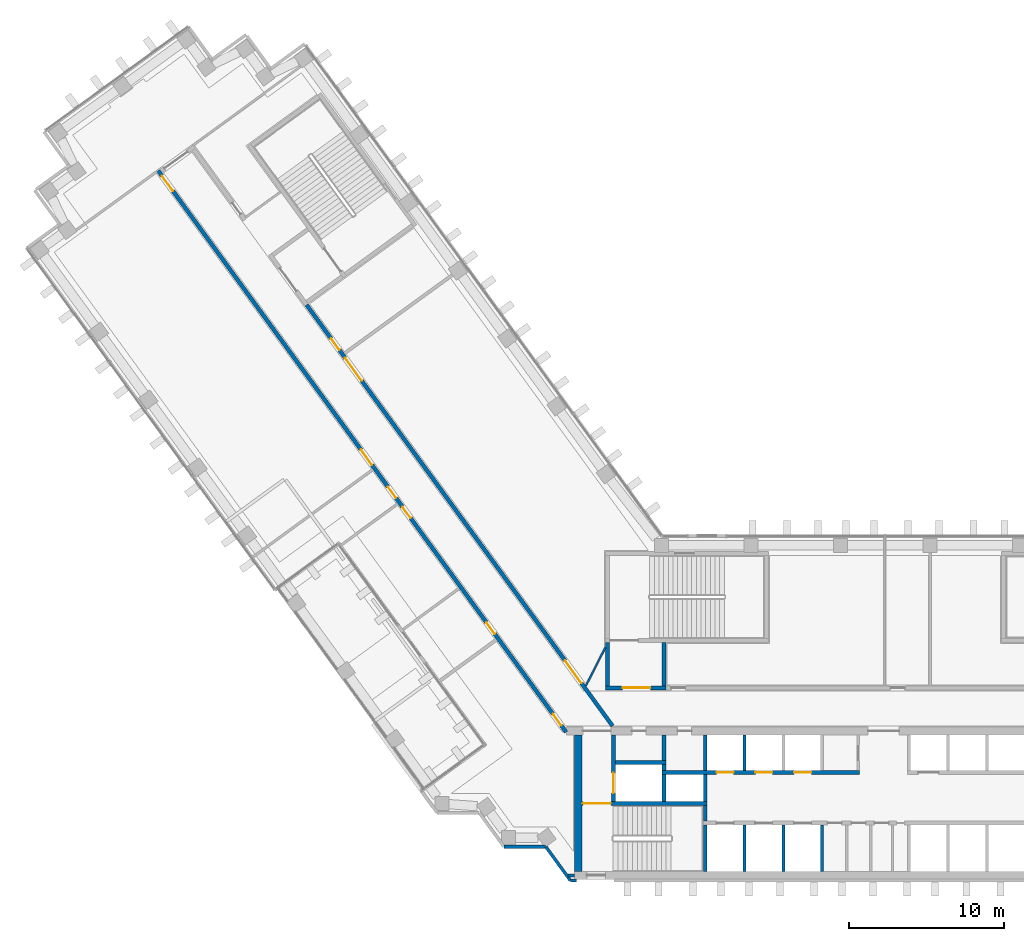
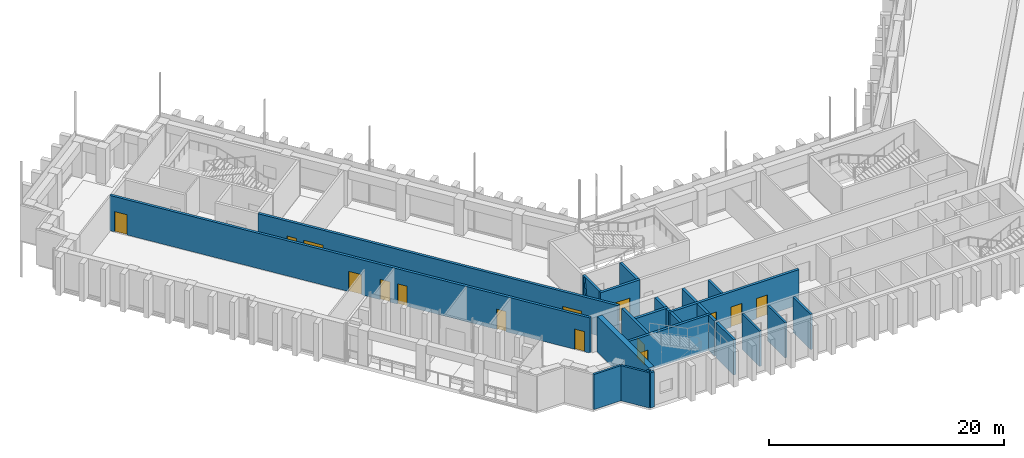
# One storey, part 10 of 18: 26 walls, 15 doors, 15 openings.
"""IFC4 building model written with IfcOpenShell, lengths in metres."""

import ifcopenshell
import ifcopenshell.guid

model = None  # the IFC model being written
_history = None  # IfcOwnerHistory: only IFC2X3 demands one
_inside = {}  # id of a spatial element -> (the spatial element, [elements in it])
_under = {}  # id of a project, library or spatial element -> (it, [spatial elements below it])
_declared = {}  # id of a project -> (the project, [libraries it declares])
_typed = {}  # id of a type object -> (the type object, [elements of that type])
_made_of = {}  # id of a material, layer set ... -> (it, [elements and type objects made of it])


def new_model(schema):
    """Start an empty IFC model of exactly this schema.

    Asked for "IFC4X3", IfcOpenShell would pick the latest addendum, in which some entities
    have other attributes; the version numbers below select the first issue.
    IFC2X3 requires an IfcOwnerHistory on every rooted entity: one is made here for all.
    """
    global model, _history
    if schema == "IFC4X3":
        model = ifcopenshell.file(schema_version=(4, 3, 0, 0))
    else:
        model = ifcopenshell.file(schema=schema)
    _inside.clear()
    _under.clear()
    _declared.clear()
    _typed.clear()
    _made_of.clear()
    _history = None
    if model.schema == "IFC2X3":
        org = make("IfcOrganization", Name="unknown")
        user = make(
            "IfcPersonAndOrganization",
            ThePerson=make("IfcPerson", FamilyName="unknown"),
            TheOrganization=org,
        )
        app = make(
            "IfcApplication",
            ApplicationDeveloper=org,
            Version="unknown",
            ApplicationFullName="unknown",
            ApplicationIdentifier="unknown",
        )
        _history = make(
            "IfcOwnerHistory",
            OwningUser=user,
            OwningApplication=app,
            ChangeAction="ADDED",
            CreationDate=0,
        )
    return model


def make(cls, **values):
    """One entity of the class cls with the attributes given. An attribute that is None is left unset."""
    return model.create_entity(
        cls, **{name: value for name, value in values.items() if value is not None}
    )


def rooted(cls, **values):
    """An entity with a GlobalId (a new one), such as an element, a storey or a relation."""
    return make(cls, GlobalId=ifcopenshell.guid.new(), OwnerHistory=_history, **values)


def si_unit(unit_type, name, prefix=None):
    """IfcSIUnit, for example si_unit("LENGTHUNIT", "METRE", prefix="MILLI")."""
    return make("IfcSIUnit", UnitType=unit_type, Prefix=prefix, Name=name)


def assignment(units):
    """IfcUnitAssignment: the units of a project."""
    return None if units is None else make("IfcUnitAssignment", Units=units)


def point(xyz):
    """IfcCartesianPoint."""
    return None if xyz is None else make("IfcCartesianPoint", Coordinates=xyz)


def direction(xyz):
    """IfcDirection."""
    return None if xyz is None else make("IfcDirection", DirectionRatios=xyz)


def frame(location, z_axis=None, x_axis=None):
    """IfcAxis2Placement3D, a coordinate frame: its origin and axes. An axis left out is left unset."""
    return make(
        "IfcAxis2Placement3D",
        Location=point(location),
        Axis=direction(z_axis),
        RefDirection=direction(x_axis),
    )


def frame_2d(location, x_axis=None):
    """IfcAxis2Placement2D, a coordinate frame in the plane: its origin and x axis."""
    return make(
        "IfcAxis2Placement2D", Location=point(location), RefDirection=direction(x_axis)
    )


def origin():
    """The frame at (0, 0, 0) with its axes left unset."""
    return frame((0.0, 0.0, 0.0))


def place(relative_to, where):
    """IfcLocalPlacement: puts the frame where relative to a parent placement (None: the world)."""
    return make(
        "IfcLocalPlacement", PlacementRelTo=relative_to, RelativePlacement=where
    )


def context(
    kind, dimensions, precision=None, world=None, true_north=None, identifier=None
):
    """IfcGeometricRepresentationContext, for example the 3D "Model" context."""
    return make(
        "IfcGeometricRepresentationContext",
        ContextIdentifier=identifier,
        ContextType=kind,
        CoordinateSpaceDimension=dimensions,
        Precision=precision,
        WorldCoordinateSystem=world,
        TrueNorth=true_north,
    )


def subcontext(parent, identifier, kind, view, scale=None):
    """IfcGeometricRepresentationSubContext, for example "Body" below "Model"."""
    return make(
        "IfcGeometricRepresentationSubContext",
        ContextIdentifier=identifier,
        ContextType=kind,
        ParentContext=parent,
        TargetScale=scale,
        TargetView=view,
    )


def project(units=None, contexts=None):
    """IfcProject with its units and contexts."""
    return rooted(
        "IfcProject",
        Name="project",
        RepresentationContexts=contexts,
        UnitsInContext=assignment(units),
    )


def spatial(cls, under=None, at=None, **own):
    """A site, building, storey or space (cls), placed at a placement, below another one or the project."""
    s = rooted(cls, ObjectPlacement=at, **own)
    if under is not None:
        _under.setdefault(under.id(), (under, []))[1].append(s)
    return s


def profile(cls, at=None, kind="AREA", **sizes):
    """A parametric profile (cls). Its sizes go by their IFC names, for example OverallWidth=200.0."""
    return make(cls, ProfileType=kind, Position=at, **sizes)


def rectangle(**sizes):
    """IfcRectangleProfileDef."""
    return profile("IfcRectangleProfileDef", **sizes)


def extrude(swept, where, along, depth):
    """IfcExtrudedAreaSolid: the profile swept, set in the frame where, extruded along a direction by depth."""
    return make(
        "IfcExtrudedAreaSolid",
        SweptArea=swept,
        Position=where,
        ExtrudedDirection=direction(along),
        Depth=depth,
    )


def shape(context_of_items, identifier, shape_type, items):
    """IfcShapeRepresentation: the items that make up one representation, for example the "Body"."""
    return make(
        "IfcShapeRepresentation",
        ContextOfItems=context_of_items,
        RepresentationIdentifier=identifier,
        RepresentationType=shape_type,
        Items=items,
    )


def material(Name=None, Category=None):
    """IfcMaterial."""
    return make("IfcMaterial", Name=Name, Category=Category)


def layer(
    of_material, thickness, ventilated=None, Name=None, Category=None, Priority=None
):
    """IfcMaterialLayer: one layer of a wall or slab, of a material (None: an air gap)."""
    return make(
        "IfcMaterialLayer",
        Material=of_material,
        LayerThickness=thickness,
        IsVentilated=ventilated,
        Name=Name,
        Category=Category,
        Priority=Priority,
    )


def layer_set(layers, Name=None):
    """IfcMaterialLayerSet."""
    return make("IfcMaterialLayerSet", MaterialLayers=layers, LayerSetName=Name)


def made_of(thing, what):
    """Note that an element or type object is made of a material, layer set ...; save() writes the relation."""
    if what is not None:
        _made_of.setdefault(what.id(), (what, []))[1].append(thing)
    return thing


def type_object(cls, material=None, **own):
    """A type object (cls), such as IfcWallType, which elements share."""
    return made_of(rooted(cls, **own), material)


def element(
    cls,
    number,
    at=None,
    inside=None,
    cuts=None,
    type_object=None,
    material=None,
    context=None,
    identifier="Body",
    shape_type=None,
    held_by="IfcProductDefinitionShape",
    body=None,
    shapes=None,
    **own,
):
    """One element of the class cls, such as IfcWall. Its Tag is "e" and its number.

    at: its placement. inside: the storey or other place that contains it. cuts: it is an
    opening in that element (IfcRelVoidsElement). A single representation is given by context,
    identifier, shape_type and body (its items); several are given by shapes. held_by: the class
    of the entity that holds the representations. save() writes the other relations.
    """
    e = rooted(cls, Tag="e%d" % number, ObjectPlacement=at, **own)
    if body is not None:
        shapes = [shape(context, identifier, shape_type, body)]
    if shapes is not None:
        e.Representation = make(held_by, Representations=shapes)
    if inside is not None:
        _inside.setdefault(inside.id(), (inside, []))[1].append(e)
    if cuts is not None:
        rooted(
            "IfcRelVoidsElement", RelatingBuildingElement=cuts, RelatedOpeningElement=e
        )
    if type_object is not None:
        _typed.setdefault(type_object.id(), (type_object, []))[1].append(e)
    return made_of(e, material)


def fill(opening, filler):
    """IfcRelFillsElement: the door or window that sits in an opening."""
    return rooted(
        "IfcRelFillsElement",
        RelatingOpeningElement=opening,
        RelatedBuildingElement=filler,
    )


def aggregate(whole, parts):
    """IfcRelAggregates: a whole, such as a stair, and the parts it consists of."""
    return rooted("IfcRelAggregates", RelatingObject=whole, RelatedObjects=parts)


def save(model, path):
    """Write the relations noted so far, then the file.

    IfcRelAggregates (storeys below a building ...), IfcRelContainedInSpatialStructure (elements
    in a storey), IfcRelDefinesByType, IfcRelAssociatesMaterial and IfcRelDeclares: one each for
    every whole, place, type object, material and project.
    """
    for whole, parts in _under.values():
        aggregate(whole, parts)
    for where, things in _inside.values():
        rooted(
            "IfcRelContainedInSpatialStructure",
            RelatedElements=things,
            RelatingStructure=where,
        )
    for kind, things in _typed.values():
        rooted("IfcRelDefinesByType", RelatedObjects=things, RelatingType=kind)
    for what, things in _made_of.values():
        rooted("IfcRelAssociatesMaterial", RelatedObjects=things, RelatingMaterial=what)
    for by, libraries in _declared.values():
        rooted("IfcRelDeclares", RelatingContext=by, RelatedDefinitions=libraries)
    model.write(path)


model = new_model("IFC4")

# Units and contexts
model_context = context("Model", 3, precision=1e-05, world=origin(), true_north=direction((0.0, 1.0)))
body_context = subcontext(model_context, "Body", "Model", "MODEL_VIEW")
ifc_project = project(units=[si_unit("LENGTHUNIT", "METRE"), si_unit("AREAUNIT", "SQUARE_METRE"), si_unit("VOLUMEUNIT", "CUBIC_METRE"), si_unit("PLANEANGLEUNIT", "RADIAN"), si_unit("MASSUNIT", "GRAM", prefix="KILO")], contexts=[model_context])

# Site, building, storey
site_placement = place(None, origin())
site = spatial("IfcSite", under=ifc_project, at=site_placement, CompositionType="ELEMENT")
building_placement = place(site_placement, origin())
building = spatial("IfcBuilding", under=site, at=building_placement, Name="Quipu Civic Tower", CompositionType="ELEMENT")
storey_placement = place(building_placement, frame((0.0, 0.0, 59.0)))
storey = spatial("IfcBuildingStorey", under=building, at=storey_placement, Name="L13", CompositionType="ELEMENT", Elevation=59.0)

# Walls
ifc_material_1 = material(Name="Concrete C70/85", Category="concrete")
ifc_layer_1 = layer(ifc_material_1, 0.25)
ifc_layer_set_1 = layer_set([ifc_layer_1], Name="Concrete C70/85")
wall_type_1 = type_object("IfcWallType", Name="Core wall 250", PredefinedType="SHEAR", material=ifc_layer_set_1)
wall_1_placement = place(storey_placement, frame((-11.574951171875, -10.5, 0.0), z_axis=(0.0, 0.0, 1.0), x_axis=(0.0, 1.0, 0.0)))
element("IfcWall", 1, at=wall_1_placement, inside=storey, type_object=wall_type_1, Name="Core wall", PredefinedType="SHEAR", context=body_context, shape_type="SweptSolid", body=[
    extrude(rectangle(XDim=3.0, YDim=0.25, at=frame_2d((1.5, 0.0))), origin(), (0.0, 0.0, 1.0), 3.64990234375),
])
wall_2_placement = place(storey_placement, frame((-11.574951171875, -7.25, 0.0), z_axis=(0.0, 0.0, 1.0), x_axis=(0.0, 1.0, 0.0)))
element("IfcWall", 2, at=wall_2_placement, inside=storey, type_object=wall_type_1, Name="Core wall", PredefinedType="SHEAR", context=body_context, shape_type="SweptSolid", body=[
    extrude(rectangle(XDim=1.0, YDim=0.25, at=frame_2d((0.5, 0.0))), origin(), (0.0, 0.0, 1.0), 3.64990234375),
])

# Wall, opening, door
wall_3_placement = place(storey_placement, frame((-11.449951171875, -6.125, 0.0), z_axis=(0.0, 0.0, 1.0), x_axis=(-1.0, 0.0, 0.0)))
wall_3 = element("IfcWall", 3, at=wall_3_placement, inside=storey, type_object=wall_type_1, Name="Core wall", PredefinedType="SHEAR", context=body_context, shape_type="SweptSolid", body=[
    extrude(rectangle(XDim=8.050048828125, YDim=0.25, at=frame_2d((4.02490234375, 0.0))), origin(), (0.0, 0.0, 1.0), 3.64990234375),
])
opening_1_placement = place(wall_3_placement, frame((6.199951171875, 0.0, 0.0)))
opening_1 = element("IfcOpeningElement", 4, at=opening_1_placement, cuts=wall_3, Name="Opening CD-05", PredefinedType="OPENING", context=body_context, shape_type="SweptSolid", body=[
    extrude(rectangle(XDim=1.800048828125, YDim=2.10009765625, at=frame_2d((0.89990234375, 1.050048828125))), frame((0.0, 0.135009765625, 0.0), z_axis=(0.0, -1.0, 0.0), x_axis=(1.0, 0.0, 0.0)), (0.0, 0.0, 1.0), 0.27001953125),
])
ifc_material_2 = material(Name="Fire rated steel door", Category="steel")
door_type_1 = type_object("IfcDoorType", Name="Fire door FD90 double 1800 x 2100", OperationType="NOTDEFINED", PredefinedType="DOOR", material=ifc_material_2)
door_1_placement = place(opening_1_placement, origin())
door_1 = element("IfcDoor", 5, at=door_1_placement, inside=storey, type_object=door_type_1, Name="Door", OperationType="DOUBLE_DOOR_SINGLE_SWING", OverallHeight=2.10009765625, OverallWidth=1.800048828125, PredefinedType="DOOR", context=body_context, shape_type="SweptSolid", body=[
    extrude(rectangle(XDim=1.800048828125, YDim=2.10009765625, at=frame_2d((0.89990234375, 1.050048828125))), frame((0.0, 0.02490234375, 0.0), z_axis=(0.0, -1.0, 0.0), x_axis=(1.0, 0.0, 0.0)), (0.0, 0.0, 1.0), 0.050048828125),
])
fill(opening_1, door_1)

wall_4_placement = place(storey_placement, frame((-17.47509765625, -6.0, 0.0), z_axis=(0.0, 0.0, 1.0), x_axis=(0.0, 1.0, 0.0)))
wall_4 = element("IfcWall", 6, at=wall_4_placement, inside=storey, type_object=wall_type_1, Name="Core wall", PredefinedType="SHEAR", context=body_context, shape_type="SweptSolid", body=[
    extrude(rectangle(XDim=4.300048828125, YDim=0.25, at=frame_2d((2.14990234375, 0.0))), origin(), (0.0, 0.0, 1.0), 3.64990234375),
])
opening_2_placement = place(wall_4_placement, frame((0.550048828125, 0.0, 0.0)))
opening_2 = element("IfcOpeningElement", 7, at=opening_2_placement, cuts=wall_4, Name="Opening LD-FF1", PredefinedType="OPENING", context=body_context, shape_type="SweptSolid", body=[
    extrude(rectangle(XDim=1.300048828125, YDim=2.10009765625, at=frame_2d((0.64990234375, 1.050048828125))), frame((0.0, 0.135009765625, 0.0), z_axis=(0.0, -1.0, 0.0), x_axis=(1.0, 0.0, 0.0)), (0.0, 0.0, 1.0), 0.27001953125),
])
ifc_material_3 = material(Name="Stainless steel", Category="steel")
door_type_2 = type_object("IfcDoorType", Name="Lift landing door 1300 x 2100", OperationType="DOUBLE_DOOR_SLIDING", PredefinedType="DOOR", material=ifc_material_3)
door_2_placement = place(opening_2_placement, origin())
door_2 = element("IfcDoor", 8, at=door_2_placement, inside=storey, type_object=door_type_2, Name="Landing door FF1", OperationType="DOUBLE_DOOR_SLIDING", OverallHeight=2.10009765625, OverallWidth=1.300048828125, PredefinedType="DOOR", context=body_context, shape_type="SweptSolid", body=[
    extrude(rectangle(XDim=1.300048828125, YDim=2.10009765625, at=frame_2d((0.64990234375, 1.050048828125))), frame((0.0, 0.02490234375, 0.0), z_axis=(0.0, -1.0, 0.0), x_axis=(1.0, 0.0, 0.0)), (0.0, 0.0, 1.0), 0.050048828125),
])
fill(opening_2, door_2)

# Walls
for number, where, z_axis, x_axis, name in (
    (9, (-14.22509765625, -6.0, 0.0), (0.0, 0.0, 1.0), (0.0, 1.0, 0.0), "Core wall"),
    (10, (-11.574951171875, -6.0, 0.0), (0.0, 0.0, 1.0), (0.0, 1.0, 0.0), "Core wall"),
):
    element("IfcWall", number, at=place(storey_placement, frame(where, z_axis=z_axis, x_axis=x_axis)), inside=storey, type_object=wall_type_1, Name=name, PredefinedType="SHEAR", context=body_context, shape_type="SweptSolid", body=[
        extrude(rectangle(XDim=1.75, YDim=0.25, at=frame_2d((0.875, 0.0))), origin(), (0.0, 0.0, 1.0), 3.64990234375),
    ])

# Wall, openings, doors
wall_5_placement = place(storey_placement, frame((-14.35009765625, -4.125, 0.0), z_axis=(0.0, 0.0, 1.0), x_axis=(1.0, 0.0, 0.0)))
wall_5 = element("IfcWall", 11, at=wall_5_placement, inside=storey, type_object=wall_type_1, Name="Core wall", PredefinedType="SHEAR", context=body_context, shape_type="SweptSolid", body=[
    extrude(rectangle(XDim=12.7001953125, YDim=0.25, at=frame_2d((6.35009765625, 0.0))), origin(), (0.0, 0.0, 1.0), 3.64990234375),
])
opening_3_placement = place(wall_5_placement, frame((3.5, 0.0, 0.0)))
opening_3 = element("IfcOpeningElement", 12, at=opening_3_placement, cuts=wall_5, Name="Opening LD-LL4", PredefinedType="OPENING", context=body_context, shape_type="SweptSolid", body=[
    extrude(rectangle(XDim=1.10009765625, YDim=2.10009765625, at=frame_2d((0.550048828125, 1.050048828125))), frame((0.0, 0.135009765625, 0.0), z_axis=(0.0, -1.0, 0.0), x_axis=(1.0, 0.0, 0.0)), (0.0, 0.0, 1.0), 0.27001953125),
])
opening_4_placement = place(wall_5_placement, frame((6.0, 0.0, 0.0)))
opening_4 = element("IfcOpeningElement", 13, at=opening_4_placement, cuts=wall_5, Name="Opening LD-LL5", PredefinedType="OPENING", context=body_context, shape_type="SweptSolid", body=[
    extrude(rectangle(XDim=1.10009765625, YDim=2.10009765625, at=frame_2d((0.550048828125, 1.050048828125))), frame((0.0, 0.135009765625, 0.0), z_axis=(0.0, -1.0, 0.0), x_axis=(1.0, 0.0, 0.0)), (0.0, 0.0, 1.0), 0.27001953125),
])
opening_5_placement = place(wall_5_placement, frame((8.5, 0.0, 0.0)))
opening_5 = element("IfcOpeningElement", 14, at=opening_5_placement, cuts=wall_5, Name="Opening LD-LL6", PredefinedType="OPENING", context=body_context, shape_type="SweptSolid", body=[
    extrude(rectangle(XDim=1.10009765625, YDim=2.10009765625, at=frame_2d((0.550048828125, 1.050048828125))), frame((0.0, 0.135009765625, 0.0), z_axis=(0.0, -1.0, 0.0), x_axis=(1.0, 0.0, 0.0)), (0.0, 0.0, 1.0), 0.27001953125),
])
ifc_material_4 = material(Name="Stainless steel", Category="steel")
door_type_3 = type_object("IfcDoorType", Name="Lift landing door 1100 x 2100", OperationType="DOUBLE_DOOR_SLIDING", PredefinedType="DOOR", material=ifc_material_4)
door_3_placement = place(opening_3_placement, origin())
door_3 = element("IfcDoor", 15, at=door_3_placement, inside=storey, type_object=door_type_3, Name="Landing door LL4", OperationType="DOUBLE_DOOR_SLIDING", OverallHeight=2.10009765625, OverallWidth=1.10009765625, PredefinedType="DOOR", context=body_context, shape_type="SweptSolid", body=[
    extrude(rectangle(XDim=1.10009765625, YDim=2.10009765625, at=frame_2d((0.550048828125, 1.050048828125))), frame((0.0, 0.02490234375, 0.0), z_axis=(0.0, -1.0, 0.0), x_axis=(1.0, 0.0, 0.0)), (0.0, 0.0, 1.0), 0.050048828125),
])
fill(opening_3, door_3)
door_4_placement = place(opening_4_placement, origin())
door_4 = element("IfcDoor", 16, at=door_4_placement, inside=storey, type_object=door_type_3, Name="Landing door LL5", OperationType="DOUBLE_DOOR_SLIDING", OverallHeight=2.10009765625, OverallWidth=1.10009765625, PredefinedType="DOOR", context=body_context, shape_type="SweptSolid", body=[
    extrude(rectangle(XDim=1.10009765625, YDim=2.10009765625, at=frame_2d((0.550048828125, 1.050048828125))), frame((0.0, 0.02490234375, 0.0), z_axis=(0.0, -1.0, 0.0), x_axis=(1.0, 0.0, 0.0)), (0.0, 0.0, 1.0), 0.050048828125),
])
fill(opening_4, door_4)
door_5_placement = place(opening_5_placement, origin())
door_5 = element("IfcDoor", 17, at=door_5_placement, inside=storey, type_object=door_type_3, Name="Landing door LL6", OperationType="DOUBLE_DOOR_SLIDING", OverallHeight=2.10009765625, OverallWidth=1.10009765625, PredefinedType="DOOR", context=body_context, shape_type="SweptSolid", body=[
    extrude(rectangle(XDim=1.10009765625, YDim=2.10009765625, at=frame_2d((0.550048828125, 1.050048828125))), frame((0.0, 0.02490234375, 0.0), z_axis=(0.0, -1.0, 0.0), x_axis=(1.0, 0.0, 0.0)), (0.0, 0.0, 1.0), 0.050048828125),
])
fill(opening_5, door_5)

# Walls
wall_6_placement = place(storey_placement, frame((-14.22509765625, -4.0, 0.0), z_axis=(0.0, 0.0, 1.0), x_axis=(0.0, 1.0, 0.0)))
element("IfcWall", 18, at=wall_6_placement, inside=storey, type_object=wall_type_1, Name="Core wall", PredefinedType="SHEAR", context=body_context, shape_type="SweptSolid", body=[
    extrude(rectangle(XDim=0.39990234375, YDim=0.25, at=frame_2d((0.199951171875, 0.0))), origin(), (0.0, 0.0, 1.0), 3.64990234375),
])
wall_7_placement = place(storey_placement, frame((-11.574951171875, -4.0, 0.0), z_axis=(0.0, 0.0, 1.0), x_axis=(0.0, 1.0, 0.0)))
element("IfcWall", 19, at=wall_7_placement, inside=storey, type_object=wall_type_1, Name="Core wall", PredefinedType="SHEAR", context=body_context, shape_type="SweptSolid", body=[
    extrude(rectangle(XDim=2.300048828125, YDim=0.25, at=frame_2d((1.14990234375, 0.0))), origin(), (0.0, 0.0, 1.0), 3.64990234375),
])
wall_8_placement = place(storey_placement, frame((-17.35009765625, -3.47509765625, 0.0), z_axis=(0.0, 0.0, 1.0), x_axis=(1.0, 0.0, 0.0)))
element("IfcWall", 20, at=wall_8_placement, inside=storey, type_object=wall_type_1, Name="Core wall", PredefinedType="SHEAR", context=body_context, shape_type="SweptSolid", body=[
    extrude(rectangle(XDim=3.25, YDim=0.25, at=frame_2d((1.625, 0.0))), origin(), (0.0, 0.0, 1.0), 3.64990234375),
])
wall_9_placement = place(storey_placement, frame((-14.22509765625, -3.35009765625, 0.0), z_axis=(0.0, 0.0, 1.0), x_axis=(0.0, 1.0, 0.0)))
element("IfcWall", 21, at=wall_9_placement, inside=storey, type_object=wall_type_1, Name="Core wall", PredefinedType="SHEAR", context=body_context, shape_type="SweptSolid", body=[
    extrude(rectangle(XDim=1.650146484375, YDim=0.25, at=frame_2d((0.8251953125, 0.0))), origin(), (0.0, 0.0, 1.0), 3.64990234375),
])

# Wall, opening, door
wall_10_placement = place(storey_placement, frame((-18.0, 1.324951171875, 0.0), z_axis=(0.0, 0.0, 1.0), x_axis=(1.0, 0.0, 0.0)))
wall_10 = element("IfcWall", 22, at=wall_10_placement, inside=storey, type_object=wall_type_1, Name="Core wall", PredefinedType="SHEAR", context=body_context, shape_type="SweptSolid", body=[
    extrude(rectangle(XDim=3.89990234375, YDim=0.25, at=frame_2d((1.949951171875, 0.0))), origin(), (0.0, 0.0, 1.0), 3.64990234375),
])
opening_6_placement = place(wall_10_placement, frame((1.10009765625, 0.0, 0.0)))
opening_6 = element("IfcOpeningElement", 23, at=opening_6_placement, cuts=wall_10, Name="Opening CD-16", PredefinedType="OPENING", context=body_context, shape_type="SweptSolid", body=[
    extrude(rectangle(XDim=1.800048828125, YDim=2.10009765625, at=frame_2d((0.89990234375, 1.050048828125))), frame((0.0, 0.135009765625, 0.0), z_axis=(0.0, -1.0, 0.0), x_axis=(1.0, 0.0, 0.0)), (0.0, 0.0, 1.0), 0.27001953125),
])
door_6_placement = place(opening_6_placement, origin())
door_6 = element("IfcDoor", 24, at=door_6_placement, inside=storey, type_object=door_type_1, Name="Lobby door", OperationType="DOUBLE_DOOR_SINGLE_SWING", OverallHeight=2.10009765625, OverallWidth=1.800048828125, PredefinedType="DOOR", context=body_context, shape_type="SweptSolid", body=[
    extrude(rectangle(XDim=1.800048828125, YDim=2.10009765625, at=frame_2d((0.89990234375, 1.050048828125))), frame((0.0, 0.02490234375, 0.0), z_axis=(0.0, -1.0, 0.0), x_axis=(1.0, 0.0, 0.0)), (0.0, 0.0, 1.0), 0.050048828125),
])
fill(opening_6, door_6)

# Walls
for number, where, z_axis, x_axis, name in (
    (25, (-17.875, 1.449951171875, 0.0), (0.0, 0.0, 1.0), (0.0, 1.0, 0.0), "Core wall"),
    (26, (-14.22509765625, 1.449951171875, 0.0), (0.0, 0.0, 1.0), (0.0, 1.0, 0.0), "Core wall"),
):
    element("IfcWall", number, at=place(storey_placement, frame(where, z_axis=z_axis, x_axis=x_axis)), inside=storey, type_object=wall_type_1, Name=name, PredefinedType="SHEAR", context=body_context, shape_type="SweptSolid", body=[
        extrude(rectangle(XDim=2.800048828125, YDim=0.25, at=frame_2d((1.39990234375, 0.0))), origin(), (0.0, 0.0, 1.0), 3.64990234375),
    ])
ifc_material_5 = material(Name="Concrete C70/85", Category="concrete")
ifc_layer_2 = layer(ifc_material_5, 0.5)
ifc_layer_set_2 = layer_set([ifc_layer_2], Name="Concrete C70/85")
wall_type_2 = type_object("IfcWallType", Name="Core wall 500", PredefinedType="SHEAR", material=ifc_layer_set_2)
wall_11_placement = place(storey_placement, frame((-19.75, -10.5, 0.0), z_axis=(0.0, 0.0, 1.0), x_axis=(0.0, 1.0, 0.0)))
element("IfcWall", 27, at=wall_11_placement, inside=storey, type_object=wall_type_2, Name="Core wall", PredefinedType="SHEAR", context=body_context, shape_type="SweptSolid", body=[
    extrude(rectangle(XDim=8.800048828125, YDim=0.5, at=frame_2d((4.39990234375, 0.0))), origin(), (0.0, 0.0, 1.0), 3.64990234375),
])

# Wall, openings, doors
ifc_material_6 = material(Name="Concrete C50/60", Category="concrete")
ifc_layer_3 = layer(ifc_material_6, 0.25)
ifc_layer_set_3 = layer_set([ifc_layer_3], Name="Concrete C50/60")
wall_type_3 = type_object("IfcWallType", Name="Corridor wall 250 concrete", PredefinedType="SOLIDWALL", material=ifc_layer_set_3)
wall_12_placement = place(storey_placement, frame((-20.531005859375, -1.5234375, 0.0), z_axis=(0.0, 0.0, 1.0), x_axis=(-0.587784593204, 0.809017473231, 0.0)))
wall_12 = element("IfcWall", 28, at=wall_12_placement, inside=storey, type_object=wall_type_3, Name="Corridor wall C01", PredefinedType="SOLIDWALL", context=body_context, shape_type="SweptSolid", body=[
    extrude(rectangle(XDim=44.67041015625, YDim=0.25, at=frame_2d((22.335205078125, 0.0))), origin(), (0.0, 0.0, 1.0), 3.64990234375),
])
opening_7_placement = place(wall_12_placement, frame((43.0458984375, 0.0, 0.0)))
opening_7 = element("IfcOpeningElement", 29, at=opening_7_placement, cuts=wall_12, Name="Opening D015", PredefinedType="OPENING", context=body_context, shape_type="SweptSolid", body=[
    extrude(rectangle(XDim=1.199951171875, YDim=2.10009765625, at=frame_2d((0.60009765625, 1.050048828125))), frame((0.0, 0.135009765625, 0.0), z_axis=(0.0, -1.0, 0.0), x_axis=(1.0, 0.0, 0.0)), (0.0, 0.0, 1.0), 0.27001953125),
])
opening_8_placement = place(wall_12_placement, frame((21.265625, 0.0, 0.0)))
opening_8 = element("IfcOpeningElement", 30, at=opening_8_placement, cuts=wall_12, Name="Opening D016", PredefinedType="OPENING", context=body_context, shape_type="SweptSolid", body=[
    extrude(rectangle(XDim=1.199951171875, YDim=2.10009765625, at=frame_2d((0.60009765625, 1.050048828125))), frame((0.0, 0.135009765625, 0.0), z_axis=(0.0, -1.0, 0.0), x_axis=(1.0, 0.0, 0.0)), (0.0, 0.0, 1.0), 0.27001953125),
])
opening_9_placement = place(wall_12_placement, frame((17.015380859375, 0.0, 0.0)))
opening_9 = element("IfcOpeningElement", 31, at=opening_9_placement, cuts=wall_12, Name="Opening D018", PredefinedType="OPENING", context=body_context, shape_type="SweptSolid", body=[
    extrude(rectangle(XDim=0.89990234375, YDim=2.10009765625, at=frame_2d((0.449951171875, 1.050048828125))), frame((0.0, 0.135009765625, 0.0), z_axis=(0.0, -1.0, 0.0), x_axis=(1.0, 0.0, 0.0)), (0.0, 0.0, 1.0), 0.27001953125),
])
opening_10_placement = place(wall_12_placement, frame((0.53271484375, 0.0, 0.0)))
opening_10 = element("IfcOpeningElement", 32, at=opening_10_placement, cuts=wall_12, Name="Opening D020", PredefinedType="OPENING", context=body_context, shape_type="SweptSolid", body=[
    extrude(rectangle(XDim=0.89990234375, YDim=2.10009765625, at=frame_2d((0.449951171875, 1.050048828125))), frame((0.0, 0.135009765625, 0.0), z_axis=(0.0, -1.0, 0.0), x_axis=(1.0, 0.0, 0.0)), (0.0, 0.0, 1.0), 0.27001953125),
])
opening_11_placement = place(wall_12_placement, frame((18.6162109375, 0.0, 0.0)))
opening_11 = element("IfcOpeningElement", 33, at=opening_11_placement, cuts=wall_12, Name="Opening D017", PredefinedType="OPENING", context=body_context, shape_type="SweptSolid", body=[
    extrude(rectangle(XDim=0.89990234375, YDim=2.10009765625, at=frame_2d((0.449951171875, 1.050048828125))), frame((0.0, 0.135009765625, 0.0), z_axis=(0.0, -1.0, 0.0), x_axis=(1.0, 0.0, 0.0)), (0.0, 0.0, 1.0), 0.27001953125),
])
opening_12_placement = place(wall_12_placement, frame((7.81591796875, 0.0, 0.0)))
opening_12 = element("IfcOpeningElement", 34, at=opening_12_placement, cuts=wall_12, Name="Opening D019", PredefinedType="OPENING", context=body_context, shape_type="SweptSolid", body=[
    extrude(rectangle(XDim=0.89990234375, YDim=2.10009765625, at=frame_2d((0.449951171875, 1.050048828125))), frame((0.0, 0.135009765625, 0.0), z_axis=(0.0, -1.0, 0.0), x_axis=(1.0, 0.0, 0.0)), (0.0, 0.0, 1.0), 0.27001953125),
])
ifc_material_7 = material(Name="Fire rated timber door set with metal frame", Category="wood")
door_type_4 = type_object("IfcDoorType", Name="Single door 1200 x 2100 FD60", OperationType="NOTDEFINED", PredefinedType="DOOR", material=ifc_material_7)
door_7_placement = place(opening_7_placement, origin())
door_7 = element("IfcDoor", 35, at=door_7_placement, inside=storey, type_object=door_type_4, Name="Door D015", OperationType="SINGLE_SWING_RIGHT", OverallHeight=2.10009765625, OverallWidth=1.199951171875, PredefinedType="DOOR", context=body_context, shape_type="SweptSolid", body=[
    extrude(rectangle(XDim=1.199951171875, YDim=2.10009765625, at=frame_2d((0.60009765625, 1.050048828125))), frame((0.0, 0.02490234375, 0.0), z_axis=(0.0, -1.0, 0.0), x_axis=(1.0, 0.0, 0.0)), (0.0, 0.0, 1.0), 0.050048828125),
])
fill(opening_7, door_7)
door_8_placement = place(opening_8_placement, origin())
door_8 = element("IfcDoor", 36, at=door_8_placement, inside=storey, type_object=door_type_4, Name="Door D016", OperationType="SINGLE_SWING_LEFT", OverallHeight=2.10009765625, OverallWidth=1.199951171875, PredefinedType="DOOR", context=body_context, shape_type="SweptSolid", body=[
    extrude(rectangle(XDim=1.199951171875, YDim=2.10009765625, at=frame_2d((0.60009765625, 1.050048828125))), frame((0.0, 0.02490234375, 0.0), z_axis=(0.0, -1.0, 0.0), x_axis=(1.0, 0.0, 0.0)), (0.0, 0.0, 1.0), 0.050048828125),
])
fill(opening_8, door_8)
ifc_material_8 = material(Name="Fire rated timber door set with metal frame", Category="wood")
door_type_5 = type_object("IfcDoorType", Name="Single door 900 x 2100 FD60", OperationType="NOTDEFINED", PredefinedType="DOOR", material=ifc_material_8)
door_9_placement = place(opening_9_placement, origin())
door_9 = element("IfcDoor", 37, at=door_9_placement, inside=storey, type_object=door_type_5, Name="Door D018", OperationType="SINGLE_SWING_RIGHT", OverallHeight=2.10009765625, OverallWidth=0.89990234375, PredefinedType="DOOR", context=body_context, shape_type="SweptSolid", body=[
    extrude(rectangle(XDim=0.89990234375, YDim=2.10009765625, at=frame_2d((0.449951171875, 1.050048828125))), frame((0.0, 0.02490234375, 0.0), z_axis=(0.0, -1.0, 0.0), x_axis=(1.0, 0.0, 0.0)), (0.0, 0.0, 1.0), 0.050048828125),
])
fill(opening_9, door_9)
door_10_placement = place(opening_10_placement, origin())
door_10 = element("IfcDoor", 38, at=door_10_placement, inside=storey, type_object=door_type_5, Name="Door D020", OperationType="SINGLE_SWING_LEFT", OverallHeight=2.10009765625, OverallWidth=0.89990234375, PredefinedType="DOOR", context=body_context, shape_type="SweptSolid", body=[
    extrude(rectangle(XDim=0.89990234375, YDim=2.10009765625, at=frame_2d((0.449951171875, 1.050048828125))), frame((0.0, 0.02490234375, 0.0), z_axis=(0.0, -1.0, 0.0), x_axis=(1.0, 0.0, 0.0)), (0.0, 0.0, 1.0), 0.050048828125),
])
fill(opening_10, door_10)
door_11_placement = place(opening_11_placement, origin())
door_11 = element("IfcDoor", 39, at=door_11_placement, inside=storey, type_object=door_type_5, Name="Door D017", OperationType="SINGLE_SWING_LEFT", OverallHeight=2.10009765625, OverallWidth=0.89990234375, PredefinedType="DOOR", context=body_context, shape_type="SweptSolid", body=[
    extrude(rectangle(XDim=0.89990234375, YDim=2.10009765625, at=frame_2d((0.449951171875, 1.050048828125))), frame((0.0, 0.02490234375, 0.0), z_axis=(0.0, -1.0, 0.0), x_axis=(1.0, 0.0, 0.0)), (0.0, 0.0, 1.0), 0.050048828125),
])
fill(opening_11, door_11)
door_12_placement = place(opening_12_placement, origin())
door_12 = element("IfcDoor", 40, at=door_12_placement, inside=storey, type_object=door_type_5, Name="Door D019", OperationType="SINGLE_SWING_LEFT", OverallHeight=2.10009765625, OverallWidth=0.89990234375, PredefinedType="DOOR", context=body_context, shape_type="SweptSolid", body=[
    extrude(rectangle(XDim=0.89990234375, YDim=2.10009765625, at=frame_2d((0.449951171875, 1.050048828125))), frame((0.0, 0.02490234375, 0.0), z_axis=(0.0, -1.0, 0.0), x_axis=(1.0, 0.0, 0.0)), (0.0, 0.0, 1.0), 0.050048828125),
])
fill(opening_12, door_12)

wall_13_placement = place(storey_placement, frame((-37.231689453125, 25.9716796875, 0.0), z_axis=(0.0, 0.0, 1.0), x_axis=(0.587786323093, -0.809016216391, 0.0)))
wall_13 = element("IfcWall", 41, at=wall_13_placement, inside=storey, type_object=wall_type_3, Name="Corridor wall C04", PredefinedType="SOLIDWALL", context=body_context, shape_type="SweptSolid", body=[
    extrude(rectangle(XDim=33.4931640625, YDim=0.25, at=frame_2d((16.74658203125, 0.0))), origin(), (0.0, 0.0, 1.0), 3.64990234375),
])
opening_13_placement = place(wall_13_placement, frame((28.30078125, 0.0, 0.0)))
opening_13 = element("IfcOpeningElement", 42, at=opening_13_placement, cuts=wall_13, Name="Opening D013", PredefinedType="OPENING", context=body_context, shape_type="SweptSolid", body=[
    extrude(rectangle(XDim=1.800048828125, YDim=2.10009765625, at=frame_2d((0.89990234375, 1.050048828125))), frame((0.0, 0.135009765625, 0.0), z_axis=(0.0, -1.0, 0.0), x_axis=(1.0, 0.0, 0.0)), (0.0, 0.0, 1.0), 0.27001953125),
])
opening_14_placement = place(wall_13_placement, frame((4.235107421875, 0.0, 0.0)))
opening_14 = element("IfcOpeningElement", 43, at=opening_14_placement, cuts=wall_13, Name="Opening D014", PredefinedType="OPENING", context=body_context, shape_type="SweptSolid", body=[
    extrude(rectangle(XDim=1.800048828125, YDim=2.10009765625, at=frame_2d((0.89990234375, 1.050048828125))), frame((0.0, 0.135009765625, 0.0), z_axis=(0.0, -1.0, 0.0), x_axis=(1.0, 0.0, 0.0)), (0.0, 0.0, 1.0), 0.27001953125),
])
opening_15_placement = place(wall_13_placement, frame((2.684814453125, 0.0, 0.0)))
opening_15 = element("IfcOpeningElement", 44, at=opening_15_placement, cuts=wall_13, Name="Opening D012", PredefinedType="OPENING", context=body_context, shape_type="SweptSolid", body=[
    extrude(rectangle(XDim=0.89990234375, YDim=2.10009765625, at=frame_2d((0.449951171875, 1.050048828125))), frame((0.0, 0.135009765625, 0.0), z_axis=(0.0, -1.0, 0.0), x_axis=(1.0, 0.0, 0.0)), (0.0, 0.0, 1.0), 0.27001953125),
])
ifc_material_9 = material(Name="Fire rated timber door set with metal frame", Category="wood")
door_type_6 = type_object("IfcDoorType", Name="Double door 1800 x 2100 FD60", OperationType="DOUBLE_DOOR_SINGLE_SWING", PredefinedType="DOOR", material=ifc_material_9)
door_13_placement = place(opening_13_placement, origin())
door_13 = element("IfcDoor", 45, at=door_13_placement, inside=storey, type_object=door_type_6, Name="Door D013", OperationType="DOUBLE_DOOR_SINGLE_SWING", OverallHeight=2.10009765625, OverallWidth=1.800048828125, PredefinedType="DOOR", context=body_context, shape_type="SweptSolid", body=[
    extrude(rectangle(XDim=1.800048828125, YDim=2.10009765625, at=frame_2d((0.89990234375, 1.050048828125))), frame((0.0, 0.02490234375, 0.0), z_axis=(0.0, -1.0, 0.0), x_axis=(1.0, 0.0, 0.0)), (0.0, 0.0, 1.0), 0.050048828125),
])
fill(opening_13, door_13)
door_14_placement = place(opening_14_placement, origin())
door_14 = element("IfcDoor", 46, at=door_14_placement, inside=storey, type_object=door_type_6, Name="Door D014", OperationType="DOUBLE_DOOR_SINGLE_SWING", OverallHeight=2.10009765625, OverallWidth=1.800048828125, PredefinedType="DOOR", context=body_context, shape_type="SweptSolid", body=[
    extrude(rectangle(XDim=1.800048828125, YDim=2.10009765625, at=frame_2d((0.89990234375, 1.050048828125))), frame((0.0, 0.02490234375, 0.0), z_axis=(0.0, -1.0, 0.0), x_axis=(1.0, 0.0, 0.0)), (0.0, 0.0, 1.0), 0.050048828125),
])
fill(opening_14, door_14)
door_15_placement = place(opening_15_placement, origin())
door_15 = element("IfcDoor", 47, at=door_15_placement, inside=storey, type_object=door_type_5, Name="Door D012", OperationType="SINGLE_SWING_RIGHT", OverallHeight=2.10009765625, OverallWidth=0.89990234375, PredefinedType="DOOR", context=body_context, shape_type="SweptSolid", body=[
    extrude(rectangle(XDim=0.89990234375, YDim=2.10009765625, at=frame_2d((0.449951171875, 1.050048828125))), frame((0.0, 0.02490234375, 0.0), z_axis=(0.0, -1.0, 0.0), x_axis=(1.0, 0.0, 0.0)), (0.0, 0.0, 1.0), 0.050048828125),
])
fill(opening_15, door_15)

# Walls
ifc_material_10 = material(Name="Gypsum plasterboard on light gauge framing")
ifc_layer_4 = layer(ifc_material_10, 0.1201171875)
ifc_layer_set_4 = layer_set([ifc_layer_4], Name="Gypsum plasterboard on light gauge framing")
wall_type_4 = type_object("IfcWallType", Name="Partition 120 plasterboard", PredefinedType="PARTITIONING", material=ifc_layer_set_4)
wall_14_placement = place(storey_placement, frame((-19.260986328125, 1.449951171875, 0.0), z_axis=(0.0, 0.0, 1.0), x_axis=(0.453950796792, 0.891026752736, 0.0)))
element("IfcWall", 48, at=wall_14_placement, inside=storey, type_object=wall_type_4, Name="Partition P15", PredefinedType="PARTITIONING", context=body_context, shape_type="SweptSolid", body=[
    extrude(rectangle(XDim=2.77783203125, YDim=0.1201171875, at=frame_2d((1.388916015625, 0.0))), origin(), (0.0, 0.0, 1.0), 3.64990234375),
])
ifc_material_11 = material(Name="Precast concrete C40/50", Category="concrete")
wall_type_5 = type_object("IfcWallType", Name="Precast cladding wall", PredefinedType="SOLIDWALL", material=ifc_material_11)
wall_15_placement = place(storey_placement, frame((-24.542724609375, -8.90380859375, 0.0), z_axis=(0.0, 0.0, 1.0), x_axis=(1.0, 0.0, 0.0)))
element("IfcWall", 49, at=wall_15_placement, inside=storey, type_object=wall_type_5, Name="Precast cladding wall L13 P13", PredefinedType="SOLIDWALL", context=body_context, shape_type="SweptSolid", body=[
    extrude(rectangle(XDim=2.699951171875, YDim=0.199951171875, at=frame_2d((1.35009765625, 0.0))), origin(), (0.0, 0.0, 1.0), 3.64990234375),
])
wall_16_placement = place(storey_placement, frame((-21.8330078125, -8.90869140625, 0.0), z_axis=(0.0, 0.0, 1.0), x_axis=(0.587766567315, -0.809030569476, 0.0)))
element("IfcWall", 50, at=wall_16_placement, inside=storey, type_object=wall_type_5, Name="Precast cladding wall L13 P14", PredefinedType="SOLIDWALL", context=body_context, shape_type="SweptSolid", body=[
    extrude(rectangle(XDim=2.687744140625, YDim=0.199951171875, at=frame_2d((1.34375, 0.0))), origin(), (0.0, 0.0, 1.0), 3.64990234375),
])
wall_17_placement = place(storey_placement, frame((-20.255859375, -11.087890625, 0.0), z_axis=(0.0, 0.0, 1.0), x_axis=(1.0, 0.0, 0.0)))
element("IfcWall", 51, at=wall_17_placement, inside=storey, type_object=wall_type_5, Name="Precast cladding wall L13 P15", PredefinedType="SOLIDWALL", context=body_context, shape_type="SweptSolid", body=[
    extrude(rectangle(XDim=0.40576171875, YDim=0.199951171875, at=frame_2d((0.202880859375, 0.0))), origin(), (0.0, 0.0, 1.0), 3.64990234375),
])
wall_18_placement = place(storey_placement, frame((-19.97998046875, -10.75, 0.0), z_axis=(0.0, 0.0, 1.0), x_axis=(-1.0, 0.0, 0.0)))
element("IfcWall", 52, at=wall_18_placement, inside=storey, type_object=wall_type_5, Name="Precast cladding return L13 W", PredefinedType="SOLIDWALL", context=body_context, shape_type="SweptSolid", body=[
    extrude(rectangle(XDim=0.41650390625, YDim=0.199951171875, at=frame_2d((0.208251953125, 0.0))), origin(), (0.0, 0.0, 1.0), 3.64990234375),
])
ifc_material_12 = material(Name="Concrete C40/50", Category="concrete")
ifc_layer_5 = layer(ifc_material_12, 0.199951171875)
ifc_layer_set_5 = layer_set([ifc_layer_5], Name="Concrete C40/50")
wall_type_6 = type_object("IfcWallType", Name="Shaft wall 200", PredefinedType="SOLIDWALL", material=ifc_layer_set_5)
for number, where, z_axis, x_axis, name in (
    (53, (-9.050048828125, -10.5, 0.0), (0.0, 0.0, 1.0), (0.0, 1.0, 0.0), "Shaft wall"),
    (54, (-6.550048828125, -10.5, 0.0), (0.0, 0.0, 1.0), (0.0, 1.0, 0.0), "Shaft wall"),
    (55, (-4.050048828125, -10.5, 0.0), (0.0, 0.0, 1.0), (0.0, 1.0, 0.0), "Shaft wall"),
):
    element("IfcWall", number, at=place(storey_placement, frame(where, z_axis=z_axis, x_axis=x_axis)), inside=storey, type_object=wall_type_6, Name=name, PredefinedType="SOLIDWALL", context=body_context, shape_type="SweptSolid", body=[
        extrude(rectangle(XDim=3.0, YDim=0.199951171875, at=frame_2d((1.5, 0.0))), origin(), (0.0, 0.0, 1.0), 3.64990234375),
    ])
wall_19_placement = place(storey_placement, frame((-9.050048828125, -4.0, 0.0), z_axis=(0.0, 0.0, 1.0), x_axis=(0.0, 1.0, 0.0)))
element("IfcWall", 56, at=wall_19_placement, inside=storey, type_object=wall_type_6, Name="Shaft wall", PredefinedType="SOLIDWALL", context=body_context, shape_type="SweptSolid", body=[
    extrude(rectangle(XDim=2.300048828125, YDim=0.199951171875, at=frame_2d((1.14990234375, 0.0))), origin(), (0.0, 0.0, 1.0), 3.64990234375),
])

save(model, "model.ifc")
